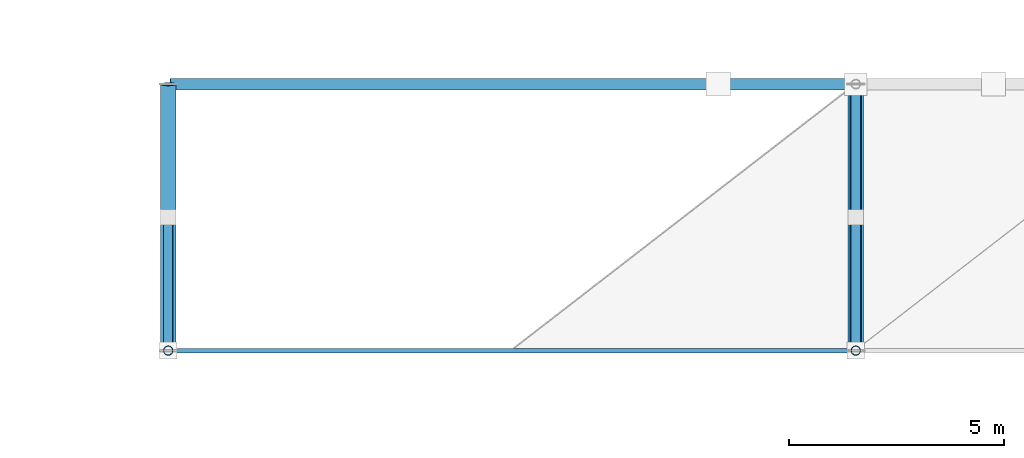
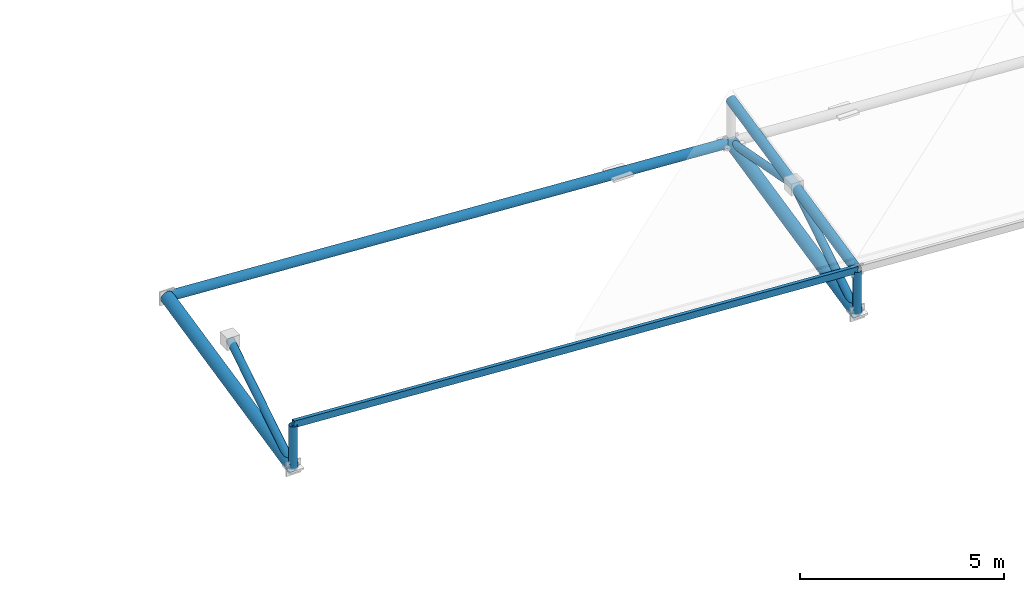
# One storey, part 37 of 83: 7 members, 3 beams.
"""IFC4 building model written with IfcOpenShell, lengths in metres."""

from ifc_helpers import new_model, si_unit, direction, frame, origin, origin_2d, place, context, subcontext, project, spatial, hollow_rectangle, hollow_circle, extrude, material, material_profile, profile_set, type_object, element, save


model = new_model("IFC4")

# Units and contexts
model_context = context("Model", 3, precision=1e-05, world=origin(), true_north=direction((0.0, 1.0)))
body_context = subcontext(model_context, "Body", "Model", "MODEL_VIEW")
ifc_project = project(units=[si_unit("LENGTHUNIT", "METRE"), si_unit("AREAUNIT", "SQUARE_METRE"), si_unit("VOLUMEUNIT", "CUBIC_METRE"), si_unit("PLANEANGLEUNIT", "RADIAN"), si_unit("MASSUNIT", "GRAM", prefix="KILO")], contexts=[model_context])

# Site, building, storey
site_placement = place(None, origin())
site = spatial("IfcSite", under=ifc_project, at=site_placement, CompositionType="ELEMENT")
building_placement = place(site_placement, origin())
building = spatial("IfcBuilding", under=site, at=building_placement, Name="Drelvath Fold Interchange", CompositionType="ELEMENT")
storey_placement = place(building_placement, frame((0.0, 0.0, 11.199951171875)))
storey = spatial("IfcBuildingStorey", under=building, at=storey_placement, Name="L02", CompositionType="ELEMENT", Elevation=11.199951171875)

# Members
ifc_material = material(Name="Steel ASTM A500 Grade C", Category="steel")
ifc_material_profile_1 = material_profile(ifc_material, hollow_rectangle(XDim=0.10205078125, YDim=0.202880859375, WallThickness=0.00732421875, at=origin_2d()), Name="HSS8X4X5/16")
ifc_profile_set_1 = profile_set([ifc_material_profile_1], Name="Steel ASTM A500 Grade C")
member_type_1 = type_object("IfcMemberType", Name="PR-HSS203", PredefinedType="PURLIN", material=ifc_profile_set_1)
member_1_placement = place(storey_placement, frame((134.0, 20.800048828125, 4.525146484375), z_axis=(0.998196786761, 0.0, -0.06002645167), x_axis=(0.0, 1.0, 0.0)))
element("IfcMember", 1, at=member_1_placement, inside=storey, type_object=member_type_1, Name="L02 Space frame canopy purlin PR-HSS203", PredefinedType="PURLIN", context=body_context, shape_type="SweptSolid", body=[
    extrude(hollow_rectangle(XDim=0.10205078125, YDim=0.202880859375, WallThickness=0.00732421875, at=origin_2d()), origin(), (0.0, 0.0, 1.0), 16.02880859375),
])
ifc_material_profile_2 = material_profile(ifc_material, hollow_circle(Radius=0.136474609375, WallThickness=0.01171875, at=origin_2d()), Name="HSS10.750X0.500")
ifc_profile_set_2 = profile_set([ifc_material_profile_2], Name="Steel ASTM A500 Grade C")
member_type_2 = type_object("IfcMemberType", Name="SF-CHD273", PredefinedType="CHORD", material=ifc_profile_set_2)
member_2_placement = place(storey_placement, frame((150.0, 20.800048828125, 3.531005859375), z_axis=(0.0, 0.977069636285, 0.212919998708), x_axis=(-1.0, 0.0, 0.0)))
element("IfcMember", 2, at=member_2_placement, inside=storey, type_object=member_type_2, Name="L02 Space frame roof truss upper chord SF-CHD273", PredefinedType="CHORD", context=body_context, shape_type="SweptSolid", body=[
    extrude(hollow_circle(Radius=0.136474609375, WallThickness=0.01171875, at=origin_2d()), origin(), (0.0, 0.0, 1.0), 6.345458984375),
])

# Beams
ifc_material_profile_3 = material_profile(ifc_material, hollow_circle(Radius=0.177978515625, WallThickness=0.01171875, at=origin_2d()), Name="HSS14.000X0.500")
ifc_profile_set_3 = profile_set([ifc_material_profile_3], Name="Steel ASTM A500 Grade C")
beam_type_1 = type_object("IfcBeamType", Name="SF-RIB356", PredefinedType="BEAM", material=ifc_profile_set_3)
beam_1_placement = place(storey_placement, frame((134.0, 20.800048828125, 3.22314453125), z_axis=(0.0, 0.977045617988, 0.213030186525), x_axis=(-1.0, 0.0, 0.0)))
element("IfcBeam", 3, at=beam_1_placement, inside=storey, type_object=beam_type_1, Name="Space frame roof truss main rib chord EAST", PredefinedType="BEAM", context=body_context, shape_type="SweptSolid", body=[
    extrude(hollow_circle(Radius=0.177978515625, WallThickness=0.01171875, at=origin_2d()), origin(), (0.0, 0.0, 1.0), 6.345703125),
])
beam_2_placement = place(storey_placement, frame((150.0, 20.800048828125, 2.260986328125), z_axis=(0.0, 0.977069636285, 0.212919998708), x_axis=(-1.0, 0.0, 0.0)))
element("IfcBeam", 4, at=beam_2_placement, inside=storey, type_object=beam_type_1, Name="Space frame roof truss main rib chord EAST", PredefinedType="BEAM", context=body_context, shape_type="SweptSolid", body=[
    extrude(hollow_circle(Radius=0.177978515625, WallThickness=0.01171875, at=origin_2d()), origin(), (0.0, 0.0, 1.0), 6.345458984375),
])
ifc_material_profile_4 = material_profile(ifc_material, hollow_circle(Radius=0.136474609375, WallThickness=0.01171875, at=origin_2d()), Name="HSS10.750X0.500")
ifc_profile_set_4 = profile_set([ifc_material_profile_4], Name="Steel ASTM A500 Grade C")
beam_type_2 = type_object("IfcBeamType", Name="SF-TIE273", PredefinedType="BEAM", material=ifc_profile_set_4)
beam_3_placement = place(storey_placement, frame((134.050048828125, 27.0, 4.574951171875), z_axis=(0.998171300091, 0.0, -0.060448785547), x_axis=(0.0, 1.0, 0.0)))
element("IfcBeam", 5, at=beam_3_placement, inside=storey, type_object=beam_type_2, Name="Space frame roof truss longitudinal tie EAST", PredefinedType="BEAM", context=body_context, shape_type="SweptSolid", body=[
    extrude(hollow_circle(Radius=0.136474609375, WallThickness=0.01171875, at=origin_2d()), origin(), (0.0, 0.0, 1.0), 15.928955078125),
])

# Members
ifc_material_profile_5 = material_profile(ifc_material, hollow_circle(Radius=0.109619140625, WallThickness=0.0087890625, at=origin_2d()), Name="HSS8.625X0.375")
ifc_profile_set_5 = profile_set([ifc_material_profile_5], Name="Steel ASTM A500 Grade C")
member_type_3 = type_object("IfcMemberType", Name="SF-WEB219", PredefinedType="BRACE", material=ifc_profile_set_5)
member_3_placement = place(storey_placement, frame((134.0, 20.800048828125, 3.22314453125), z_axis=(0.0, 0.846966130584, 0.531646850497), x_axis=(-1.0, 0.0, 0.0)))
element("IfcMember", 6, at=member_3_placement, inside=storey, type_object=member_type_3, Name="L02 Space frame roof truss web brace SF-WEB219", PredefinedType="BRACE", context=body_context, shape_type="SweptSolid", body=[
    extrude(hollow_circle(Radius=0.109619140625, WallThickness=0.0087890625, at=origin_2d()), origin(), (0.0, 0.0, 1.0), 3.659912109375),
])
member_4_placement = place(storey_placement, frame((134.0, 20.800048828125, 3.22314453125), z_axis=(0.0, 0.0, 1.0), x_axis=(1.0, 0.0, 0.0)))
element("IfcMember", 7, at=member_4_placement, inside=storey, type_object=member_type_3, Name="L02 Space frame roof truss web brace SF-WEB219", PredefinedType="BRACE", context=body_context, shape_type="SweptSolid", body=[
    extrude(hollow_circle(Radius=0.109619140625, WallThickness=0.0087890625, at=origin_2d()), origin(), (0.0, 0.0, 1.0), 1.27001953125),
])
member_5_placement = place(storey_placement, frame((150.0, 20.800048828125, 2.260986328125), z_axis=(0.0, 0.84693609346, 0.531694699612), x_axis=(-1.0, 0.0, 0.0)))
element("IfcMember", 8, at=member_5_placement, inside=storey, type_object=member_type_3, Name="L02 Space frame roof truss web brace SF-WEB219", PredefinedType="BRACE", context=body_context, shape_type="SweptSolid", body=[
    extrude(hollow_circle(Radius=0.109619140625, WallThickness=0.0087890625, at=origin_2d()), origin(), (0.0, 0.0, 1.0), 3.66015625),
])
member_6_placement = place(storey_placement, frame((150.0, 23.89990234375, 4.20703125), z_axis=(0.0, 0.982076989305, -0.188480203413), x_axis=(-1.0, 0.0, 0.0)))
element("IfcMember", 9, at=member_6_placement, inside=storey, type_object=member_type_3, Name="L02 Space frame roof truss web brace SF-WEB219", PredefinedType="BRACE", context=body_context, shape_type="SweptSolid", body=[
    extrude(hollow_circle(Radius=0.109619140625, WallThickness=0.0087890625, at=origin_2d()), origin(), (0.0, 0.0, 1.0), 3.15673828125),
])
member_7_placement = place(storey_placement, frame((150.0, 20.800048828125, 2.260986328125), z_axis=(0.0, 0.0, 1.0), x_axis=(1.0, 0.0, 0.0)))
element("IfcMember", 10, at=member_7_placement, inside=storey, type_object=member_type_3, Name="L02 Space frame roof truss web brace SF-WEB219", PredefinedType="BRACE", context=body_context, shape_type="SweptSolid", body=[
    extrude(hollow_circle(Radius=0.109619140625, WallThickness=0.0087890625, at=origin_2d()), origin(), (0.0, 0.0, 1.0), 1.27001953125),
])

save(model, "model.ifc")
